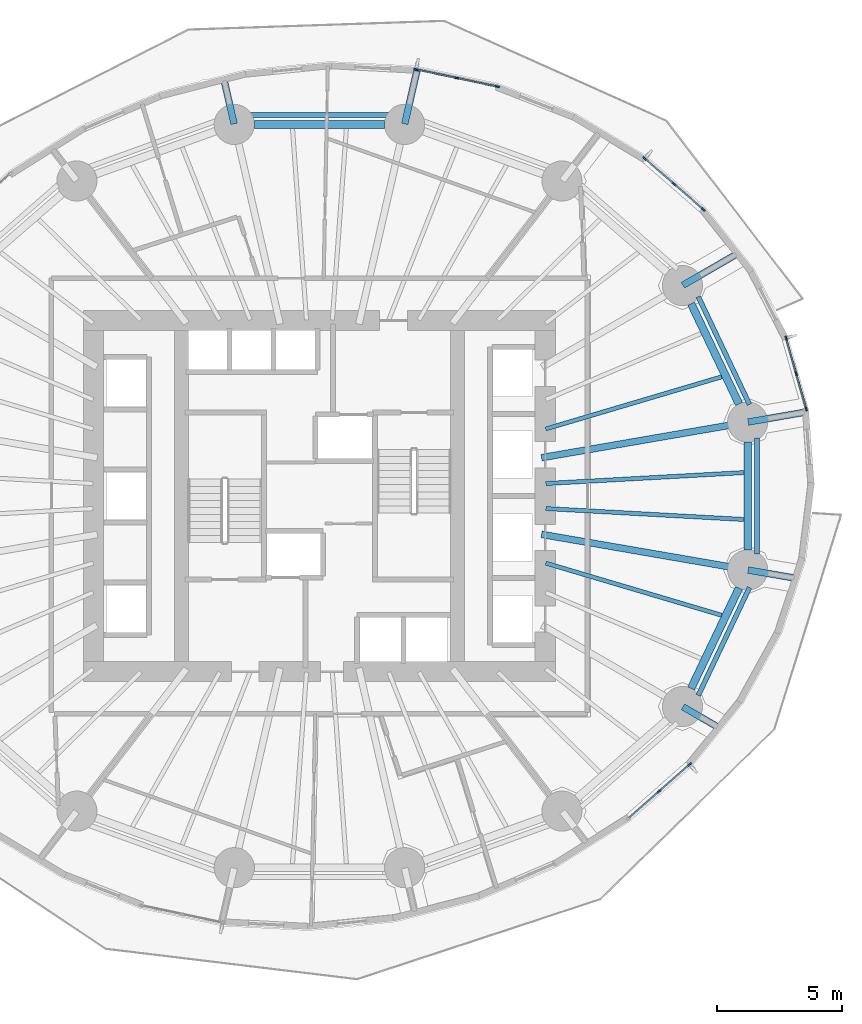
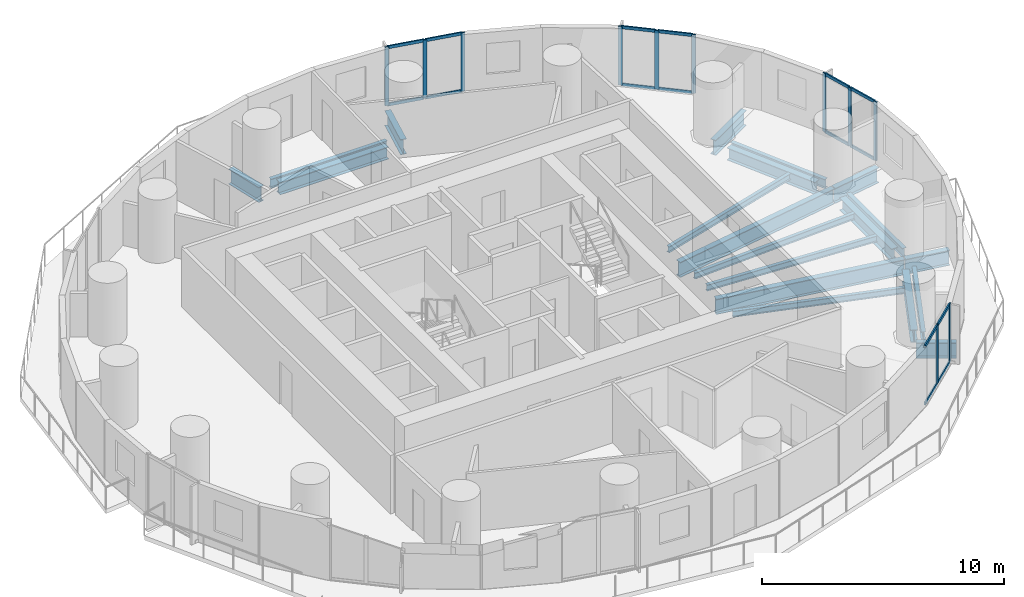
# One storey, part 5 of 13: 27 members, 20 beams, 4 elements without a shape of their own.
"""IFC4 building model written with IfcOpenShell, lengths in metres."""

from ifc_helpers import new_model, si_unit, direction, frame, origin, origin_2d, place, context, subcontext, project, spatial, rectangle, i_section, extrude, material, material_profile, profile_set, type_object, element, aggregate, save


model = new_model("IFC4")

# Units and contexts
model_context = context("Model", 3, precision=1e-05, world=origin(), true_north=direction((0.0, 1.0)))
body_context = subcontext(model_context, "Body", "Model", "MODEL_VIEW")
ifc_project = project(units=[si_unit("LENGTHUNIT", "METRE"), si_unit("AREAUNIT", "SQUARE_METRE"), si_unit("VOLUMEUNIT", "CUBIC_METRE"), si_unit("PLANEANGLEUNIT", "RADIAN"), si_unit("MASSUNIT", "GRAM", prefix="KILO")], contexts=[model_context])

# Site, building, storey
site_placement = place(None, origin())
site = spatial("IfcSite", under=ifc_project, at=site_placement, CompositionType="ELEMENT")
building_placement = place(site_placement, origin())
building = spatial("IfcBuilding", under=site, at=building_placement, Name="Veldorim Arch Residences", CompositionType="ELEMENT")
storey_placement = place(building_placement, frame((0.0, 0.0, 44.0)))
storey = spatial("IfcBuildingStorey", under=building, at=storey_placement, Name="L12", CompositionType="ELEMENT", Elevation=44.0)

# Beams
ifc_material_1 = material(Name="Steel S355", Category="steel")
ifc_material_profile_1 = material_profile(ifc_material_1, i_section(OverallWidth=0.30712890625, OverallDepth=0.6201171875, WebThickness=0.01416015625, FlangeThickness=0.023681640625, at=origin_2d()), Name="UB610x305x179")
ifc_profile_set_1 = profile_set([ifc_material_profile_1], Name="Steel S355")
beam_type_1 = type_object("IfcBeamType", Name="Structural Steel Beam UB610x305x179", PredefinedType="BEAM", material=ifc_profile_set_1)
beam_1_placement = place(storey_placement, frame((48.72119140625, 27.66796875, -0.550048828125), z_axis=(-0.430786696724, 0.902453778276, 0.0), x_axis=(-0.902453778276, -0.430786696724, 0.0)))
element("IfcBeam", 1, at=beam_1_placement, inside=storey, type_object=beam_type_1, Name="L12 perimeter ring tie beam 01", PredefinedType="BEAM", context=body_context, shape_type="SweptSolid", body=[
    extrude(i_section(OverallWidth=0.30712890625, OverallDepth=0.6201171875, WebThickness=0.01416015625, FlangeThickness=0.023681640625, at=origin_2d()), origin(), (0.0, 0.0, 1.0), 4.431396484375),
])
beam_2_placement = place(storey_placement, frame((34.594482421875, 38.809814453125, -0.550048828125), z_axis=(-1.0, 0.0, 0.0), x_axis=(0.0, -1.0, 0.0)))
element("IfcBeam", 2, at=beam_2_placement, inside=storey, type_object=beam_type_1, Name="L12 perimeter ring tie beam 04", PredefinedType="BEAM", context=body_context, shape_type="SweptSolid", body=[
    extrude(i_section(OverallWidth=0.30712890625, OverallDepth=0.6201171875, WebThickness=0.01416015625, FlangeThickness=0.023681640625, at=origin_2d()), origin(), (0.0, 0.0, 1.0), 5.18896484375),
])
beam_3_placement = place(storey_placement, frame((46.812255859375, 16.3330078125, -0.550048828125), z_axis=(0.430786696724, 0.902453778276, 0.0), x_axis=(-0.902453778276, 0.430786696724, 0.0)))
element("IfcBeam", 3, at=beam_3_placement, inside=storey, type_object=beam_type_1, Name="L12 perimeter ring tie beam 15", PredefinedType="BEAM", context=body_context, shape_type="SweptSolid", body=[
    extrude(i_section(OverallWidth=0.30712890625, OverallDepth=0.6201171875, WebThickness=0.01416015625, FlangeThickness=0.023681640625, at=origin_2d()), origin(), (0.0, 0.0, 1.0), 4.431396484375),
])
beam_4_placement = place(storey_placement, frame((49.065673828125, 21.85400390625, -0.550048828125), z_axis=(0.0, 1.0, 0.0), x_axis=(-1.0, 0.0, 0.0)))
element("IfcBeam", 4, at=beam_4_placement, inside=storey, type_object=beam_type_1, Name="L12 perimeter ring tie beam 16", PredefinedType="BEAM", context=body_context, shape_type="SweptSolid", body=[
    extrude(i_section(OverallWidth=0.30712890625, OverallDepth=0.6201171875, WebThickness=0.01416015625, FlangeThickness=0.023681640625, at=origin_2d()), origin(), (0.0, 0.0, 1.0), 4.2919921875),
])
ifc_material_2 = material(Name="Steel S355", Category="steel")
ifc_material_profile_2 = material_profile(ifc_material_2, i_section(OverallWidth=0.26806640625, OverallDepth=0.769775390625, WebThickness=0.015625, FlangeThickness=0.025390625, at=origin_2d()), Name="UB762x267x197")
ifc_profile_set_2 = profile_set([ifc_material_profile_2], Name="Steel S355")
beam_type_2 = type_object("IfcBeamType", Name="Structural Steel GIRDER UB762x267x197", PredefinedType="USERDEFINED", material=ifc_profile_set_2)
beam_5_placement = place(storey_placement, frame((40.852294921875, 25.528076171875, -0.625), z_axis=(0.985427548249, 0.170095699979, 0.0), x_axis=(-0.170095699979, 0.985427548249, 0.0)))
element("IfcBeam", 5, at=beam_5_placement, inside=storey, type_object=beam_type_2, Name="L12 radial floor girder 01", ObjectType="GIRDER", PredefinedType="USERDEFINED", context=body_context, shape_type="SweptSolid", body=[
    extrude(i_section(OverallWidth=0.26806640625, OverallDepth=0.769775390625, WebThickness=0.015625, FlangeThickness=0.025390625, at=origin_2d()), origin(), (0.0, 0.0, 1.0), 8.314697265625),
])
beam_6_placement = place(storey_placement, frame((49.08544921875, 26.94921875, -0.625), z_axis=(0.98542353719, 0.170118935902, 0.0), x_axis=(-0.170118935902, 0.98542353719, 0.0)))
element("IfcBeam", 6, at=beam_6_placement, inside=storey, type_object=beam_type_2, Name="L12 radial edge cantilever girder 01", ObjectType="GIRDER", PredefinedType="USERDEFINED", context=body_context, shape_type="SweptSolid", body=[
    extrude(i_section(OverallWidth=0.26806640625, OverallDepth=0.769775390625, WebThickness=0.015625, FlangeThickness=0.025390625, at=origin_2d()), origin(), (0.0, 0.0, 1.0), 2.35205078125),
])
beam_7_placement = place(storey_placement, frame((46.48486328125, 32.399169921875, -0.625), z_axis=(0.86507809522, 0.501637208718, 0.0), x_axis=(-0.501637208718, 0.86507809522, 0.0)))
element("IfcBeam", 7, at=beam_7_placement, inside=storey, type_object=beam_type_2, Name="L12 radial edge cantilever girder 02", ObjectType="GIRDER", PredefinedType="USERDEFINED", context=body_context, shape_type="SweptSolid", body=[
    extrude(i_section(OverallWidth=0.26806640625, OverallDepth=0.769775390625, WebThickness=0.015625, FlangeThickness=0.025390625, at=origin_2d()), origin(), (0.0, 0.0, 1.0), 2.52978515625),
])
beam_8_placement = place(storey_placement, frame((35.399169921875, 38.829345703125, -0.625), z_axis=(0.223367414268, 0.974734321876, 0.0), x_axis=(-0.974734321876, 0.223367414268, 0.0)))
element("IfcBeam", 8, at=beam_8_placement, inside=storey, type_object=beam_type_2, Name="L12 radial edge cantilever girder 04", ObjectType="GIRDER", PredefinedType="USERDEFINED", context=body_context, shape_type="SweptSolid", body=[
    extrude(i_section(OverallWidth=0.26806640625, OverallDepth=0.769775390625, WebThickness=0.015625, FlangeThickness=0.025390625, at=origin_2d()), origin(), (0.0, 0.0, 1.0), 2.211181640625),
])
beam_9_placement = place(storey_placement, frame((28.600830078125, 38.829345703125, -0.625), z_axis=(-0.223378778819, 0.974731717537, 0.0), x_axis=(-0.974731717537, -0.223378778819, 0.0)))
element("IfcBeam", 9, at=beam_9_placement, inside=storey, type_object=beam_type_2, Name="L12 radial edge cantilever girder 05", ObjectType="GIRDER", PredefinedType="USERDEFINED", context=body_context, shape_type="SweptSolid", body=[
    extrude(i_section(OverallWidth=0.26806640625, OverallDepth=0.769775390625, WebThickness=0.015625, FlangeThickness=0.025390625, at=origin_2d()), origin(), (0.0, 0.0, 1.0), 1.8427734375),
])
beam_10_placement = place(storey_placement, frame((46.48486328125, 15.600830078125, -0.625), z_axis=(0.865102284846, -0.501595491163, 0.0), x_axis=(0.501595491163, 0.865102284846, 0.0)))
element("IfcBeam", 10, at=beam_10_placement, inside=storey, type_object=beam_type_2, Name="L12 radial edge cantilever girder 15", ObjectType="GIRDER", PredefinedType="USERDEFINED", context=body_context, shape_type="SweptSolid", body=[
    extrude(i_section(OverallWidth=0.26806640625, OverallDepth=0.769775390625, WebThickness=0.015625, FlangeThickness=0.025390625, at=origin_2d()), origin(), (0.0, 0.0, 1.0), 1.6689453125),
])
beam_11_placement = place(storey_placement, frame((40.852294921875, 22.471923828125, -0.625), z_axis=(0.985427548249, -0.170095699979, 0.0), x_axis=(0.170095699979, 0.985427548249, 0.0)))
element("IfcBeam", 11, at=beam_11_placement, inside=storey, type_object=beam_type_2, Name="L12 radial floor girder 16", ObjectType="GIRDER", PredefinedType="USERDEFINED", context=body_context, shape_type="SweptSolid", body=[
    extrude(i_section(OverallWidth=0.26806640625, OverallDepth=0.769775390625, WebThickness=0.015625, FlangeThickness=0.025390625, at=origin_2d()), origin(), (0.0, 0.0, 1.0), 8.314697265625),
])
beam_12_placement = place(storey_placement, frame((49.08544921875, 21.05078125, -0.625), z_axis=(0.985423095697, -0.170121493252, 0.0), x_axis=(0.170121493252, 0.985423095697, 0.0)))
element("IfcBeam", 12, at=beam_12_placement, inside=storey, type_object=beam_type_2, Name="L12 radial edge cantilever girder 16", ObjectType="GIRDER", PredefinedType="USERDEFINED", context=body_context, shape_type="SweptSolid", body=[
    extrude(i_section(OverallWidth=0.26806640625, OverallDepth=0.769775390625, WebThickness=0.015625, FlangeThickness=0.025390625, at=origin_2d()), origin(), (0.0, 0.0, 1.0), 1.943115234375),
])
ifc_material_3 = material(Name="Steel S355", Category="steel")
ifc_material_profile_3 = material_profile(ifc_material_3, i_section(OverallWidth=0.165771484375, OverallDepth=0.306640625, WebThickness=0.006591796875, FlangeThickness=0.01171875, at=origin_2d()), Name="UB305x165x46")
ifc_profile_set_3 = profile_set([ifc_material_profile_3], Name="Steel S355")
beam_type_3 = type_object("IfcBeamType", Name="Structural Steel Joist UB305x165x46", PredefinedType="JOIST", material=ifc_profile_set_3)
for number, where, z_axis, x_axis, name in (
    (13, (41.019287109375, 26.67333984375, -0.393310546875), (0.958766778771, 0.284194060325, 0.0), (-0.284194060325, 0.958766778771, 0.0), "L12 secondary radial floor joist 01-1"),
    (14, (41.019287109375, 21.32666015625, -0.393310546875), (0.958766778771, -0.284194060325, 0.0), (0.284194060325, 0.958766778771, 0.0), "L12 secondary radial floor joist 15-2"),
):
    element("IfcBeam", number, at=place(storey_placement, frame(where, z_axis=z_axis, x_axis=x_axis)), inside=storey, type_object=beam_type_3, Name=name, PredefinedType="JOIST", context=body_context, shape_type="SweptSolid", body=[
        extrude(i_section(OverallWidth=0.165771484375, OverallDepth=0.306640625, WebThickness=0.006591796875, FlangeThickness=0.01171875, at=origin_2d()), origin(), (0.0, 0.0, 1.0), 7.3115234375),
    ])
for number, where, z_axis, x_axis, name in (
    (15, (41.02001953125, 23.501708984375, -0.393310546875), (0.998478371109, -0.055144740699, 0.0), (0.055144740699, 0.998478371109, 0.0), "L12 secondary radial floor joist 16-1"),
    (16, (41.02001953125, 24.498291015625, -0.393310546875), (0.998478371109, 0.055144740699, 0.0), (-0.055144740699, 0.998478371109, 0.0), "L12 secondary radial floor joist 16-2"),
):
    element("IfcBeam", number, at=place(storey_placement, frame(where, z_axis=z_axis, x_axis=x_axis)), inside=storey, type_object=beam_type_3, Name=name, PredefinedType="JOIST", context=body_context, shape_type="SweptSolid", body=[
        extrude(i_section(OverallWidth=0.165771484375, OverallDepth=0.306640625, WebThickness=0.006591796875, FlangeThickness=0.01171875, at=origin_2d()), origin(), (0.0, 0.0, 1.0), 7.898193359375),
    ])
ifc_material_4 = material(Name="Steel S355", Category="steel")
ifc_material_profile_4 = material_profile(ifc_material_4, i_section(OverallWidth=0.19140625, OverallDepth=0.4599609375, WebThickness=0.010009765625, FlangeThickness=0.01611328125, at=origin_2d()), Name="UB457x191x82")
ifc_profile_set_4 = profile_set([ifc_material_profile_4], Name="Steel S355")
beam_type_4 = type_object("IfcBeamType", Name="Structural Steel Spandrel UB457x191x82", PredefinedType="SPANDREL", material=ifc_profile_set_4)
beam_13_placement = place(storey_placement, frame((49.13818359375, 27.646484375, -0.489990234375), z_axis=(-0.42886940858, 0.903366498374, 0.0), x_axis=(-0.903366498374, -0.42886940858, 0.0)))
element("IfcBeam", 17, at=beam_13_placement, inside=storey, type_object=beam_type_4, Name="L12 perimeter chord spandrel beam 01", PredefinedType="SPANDREL", context=body_context, shape_type="SweptSolid", body=[
    extrude(i_section(OverallWidth=0.19140625, OverallDepth=0.4599609375, WebThickness=0.010009765625, FlangeThickness=0.01611328125, at=origin_2d()), origin(), (0.0, 0.0, 1.0), 4.7568359375),
])
beam_14_placement = place(storey_placement, frame((34.775390625, 39.180419921875, -0.489990234375), z_axis=(-1.0, 0.0, 0.0), x_axis=(0.0, -1.0, 0.0)))
element("IfcBeam", 18, at=beam_14_placement, inside=storey, type_object=beam_type_4, Name="L12 perimeter chord spandrel beam 04", PredefinedType="SPANDREL", context=body_context, shape_type="SweptSolid", body=[
    extrude(i_section(OverallWidth=0.19140625, OverallDepth=0.4599609375, WebThickness=0.010009765625, FlangeThickness=0.01611328125, at=origin_2d()), origin(), (0.0, 0.0, 1.0), 5.55078125),
])
beam_15_placement = place(storey_placement, frame((47.09814453125, 16.056396484375, -0.489990234375), z_axis=(0.42886940858, 0.903366498374, 0.0), x_axis=(-0.903366498374, 0.42886940858, 0.0)))
element("IfcBeam", 19, at=beam_15_placement, inside=storey, type_object=beam_type_4, Name="L12 perimeter chord spandrel beam 15", PredefinedType="SPANDREL", context=body_context, shape_type="SweptSolid", body=[
    extrude(i_section(OverallWidth=0.19140625, OverallDepth=0.4599609375, WebThickness=0.010009765625, FlangeThickness=0.01611328125, at=origin_2d()), origin(), (0.0, 0.0, 1.0), 4.7568359375),
])
beam_16_placement = place(storey_placement, frame((49.440185546875, 21.693603515625, -0.489990234375), z_axis=(0.0, 1.0, 0.0), x_axis=(-1.0, 0.0, 0.0)))
element("IfcBeam", 20, at=beam_16_placement, inside=storey, type_object=beam_type_4, Name="L12 perimeter chord spandrel beam 16", PredefinedType="SPANDREL", context=body_context, shape_type="SweptSolid", body=[
    extrude(i_section(OverallWidth=0.19140625, OverallDepth=0.4599609375, WebThickness=0.010009765625, FlangeThickness=0.01611328125, at=origin_2d()), origin(), (0.0, 0.0, 1.0), 4.61279296875),
])

# Curtain wall, members
ifc_material_5 = material(Name="Aluminium", Category="aluminium")
curtain_wall_type = type_object("IfcCurtainWallType", Name="Zone 1 Acoustic Low-E Unitised Curtain Wall", PredefinedType="NOTDEFINED", material=ifc_material_5)
curtain_wall_1_placement = place(storey_placement, origin())
curtain_wall_1 = element("IfcCurtainWall", 21, at=curtain_wall_1_placement, inside=storey, type_object=curtain_wall_type, Name="L12 unitised curtain wall bay 01", PredefinedType="NOTDEFINED")
ifc_material_6 = material(Name="Aluminium", Category="aluminium")
ifc_material_profile_5 = material_profile(ifc_material_6, rectangle(XDim=0.06494140625, YDim=0.175048828125, at=origin_2d()), Name="ALU_MUL_65x175")
ifc_profile_set_5 = profile_set([ifc_material_profile_5], Name="Aluminium")
member_type_1 = type_object("IfcMemberType", Name="Zone 1 Acoustic Low-E Unitised Curtain Wall Mullion 65x175", PredefinedType="MULLION", material=ifc_profile_set_5)
member_1_placement = place(storey_placement, frame((50.59765625, 30.297607421875, 0.0), z_axis=(0.0, 0.0, 1.0), x_axis=(0.962071370887, 0.27279786898, 0.0)))
member_1 = element("IfcMember", 22, at=member_1_placement, type_object=member_type_1, Name="CW-Z1 mullion 1", PredefinedType="MULLION", context=body_context, shape_type="SweptSolid", body=[
    extrude(rectangle(XDim=0.06494140625, YDim=0.175048828125, at=origin_2d()), origin(), (0.0, 0.0, 1.0), 2.9599609375),
])
member_2_placement = place(storey_placement, frame((50.998291015625, 28.885009765625, 0.0), z_axis=(0.0, 0.0, 1.0), x_axis=(0.962071370887, 0.27279786898, 0.0)))
member_2 = element("IfcMember", 23, at=member_2_placement, type_object=member_type_1, Name="CW-Z1 mullion 2", PredefinedType="MULLION", context=body_context, shape_type="SweptSolid", body=[
    extrude(rectangle(XDim=0.06494140625, YDim=0.175048828125, at=origin_2d()), origin(), (0.0, 0.0, 1.0), 2.9599609375),
])
member_3_placement = place(storey_placement, frame((51.39892578125, 27.47216796875, 0.0), z_axis=(0.0, 0.0, 1.0), x_axis=(0.962071370887, 0.27279786898, 0.0)))
member_3 = element("IfcMember", 24, at=member_3_placement, type_object=member_type_1, Name="CW-Z1 mullion 3", PredefinedType="MULLION", context=body_context, shape_type="SweptSolid", body=[
    extrude(rectangle(XDim=0.06494140625, YDim=0.175048828125, at=origin_2d()), origin(), (0.0, 0.0, 1.0), 2.9599609375),
])

curtain_wall_2_placement = place(storey_placement, origin())
curtain_wall_2 = element("IfcCurtainWall", 25, at=curtain_wall_2_placement, inside=storey, type_object=curtain_wall_type, Name="L12 unitised curtain wall bay 04", PredefinedType="NOTDEFINED")
member_4_placement = place(storey_placement, frame((44.9638671875, 37.45068359375, 0.0), z_axis=(0.0, 0.0, 1.0), x_axis=(0.656718522267, 0.754135785195, 0.0)))
member_4 = element("IfcMember", 26, at=member_4_placement, type_object=member_type_1, Name="CW-Z1 mullion 1", PredefinedType="MULLION", context=body_context, shape_type="SweptSolid", body=[
    extrude(rectangle(XDim=0.06494140625, YDim=0.175048828125, at=origin_2d()), origin(), (0.0, 0.0, 1.0), 2.9599609375),
])
member_5_placement = place(storey_placement, frame((46.12890625, 36.436279296875, 0.0), z_axis=(0.0, 0.0, 1.0), x_axis=(0.656718522267, 0.754135785195, 0.0)))
member_5 = element("IfcMember", 27, at=member_5_placement, type_object=member_type_1, Name="CW-Z1 mullion 2", PredefinedType="MULLION", context=body_context, shape_type="SweptSolid", body=[
    extrude(rectangle(XDim=0.06494140625, YDim=0.175048828125, at=origin_2d()), origin(), (0.0, 0.0, 1.0), 2.9599609375),
])
member_6_placement = place(storey_placement, frame((47.293701171875, 35.421875, 0.0), z_axis=(0.0, 0.0, 1.0), x_axis=(0.656718522267, 0.754135785195, 0.0)))
member_6 = element("IfcMember", 28, at=member_6_placement, type_object=member_type_1, Name="CW-Z1 mullion 3", PredefinedType="MULLION", context=body_context, shape_type="SweptSolid", body=[
    extrude(rectangle(XDim=0.06494140625, YDim=0.175048828125, at=origin_2d()), origin(), (0.0, 0.0, 1.0), 2.9599609375),
])

curtain_wall_3_placement = place(storey_placement, origin())
curtain_wall_3 = element("IfcCurtainWall", 29, at=curtain_wall_3_placement, inside=storey, type_object=curtain_wall_type, Name="L12 unitised curtain wall bay 07", PredefinedType="NOTDEFINED")
member_7_placement = place(storey_placement, frame((35.851806640625, 41.003662109375, 0.0), z_axis=(0.0, 0.0, 1.0), x_axis=(0.207442343439, 0.978247245919, 0.0)))
member_7 = element("IfcMember", 30, at=member_7_placement, type_object=member_type_1, Name="CW-Z1 mullion 1", PredefinedType="MULLION", context=body_context, shape_type="SweptSolid", body=[
    extrude(rectangle(XDim=0.06494140625, YDim=0.175048828125, at=origin_2d()), origin(), (0.0, 0.0, 1.0), 2.9599609375),
])
member_8_placement = place(storey_placement, frame((37.470703125, 40.660400390625, 0.0), z_axis=(0.0, 0.0, 1.0), x_axis=(0.207442343439, 0.978247245919, 0.0)))
member_8 = element("IfcMember", 31, at=member_8_placement, type_object=member_type_1, Name="CW-Z1 mullion 2", PredefinedType="MULLION", context=body_context, shape_type="SweptSolid", body=[
    extrude(rectangle(XDim=0.06494140625, YDim=0.175048828125, at=origin_2d()), origin(), (0.0, 0.0, 1.0), 2.9599609375),
])
member_9_placement = place(storey_placement, frame((39.089599609375, 40.317138671875, 0.0), z_axis=(0.0, 0.0, 1.0), x_axis=(0.207442343439, 0.978247245919, 0.0)))
member_9 = element("IfcMember", 32, at=member_9_placement, type_object=member_type_1, Name="CW-Z1 mullion 3", PredefinedType="MULLION", context=body_context, shape_type="SweptSolid", body=[
    extrude(rectangle(XDim=0.06494140625, YDim=0.175048828125, at=origin_2d()), origin(), (0.0, 0.0, 1.0), 2.9599609375),
])

curtain_wall_4_placement = place(storey_placement, origin())
curtain_wall_4 = element("IfcCurtainWall", 33, at=curtain_wall_4_placement, inside=storey, type_object=curtain_wall_type, Name="L12 unitised curtain wall bay 31", PredefinedType="NOTDEFINED")
member_10_placement = place(storey_placement, frame((46.7529296875, 13.301025390625, 0.0), z_axis=(0.0, 0.0, 1.0), x_axis=(0.661206750082, -0.750203728094, 0.0)))
member_10 = element("IfcMember", 34, at=member_10_placement, type_object=member_type_1, Name="CW-Z1 mullion 1", PredefinedType="MULLION", context=body_context, shape_type="SweptSolid", body=[
    extrude(rectangle(XDim=0.06494140625, YDim=0.175048828125, at=origin_2d()), origin(), (0.0, 0.0, 1.0), 2.9599609375),
])
member_11_placement = place(storey_placement, frame((45.5361328125, 12.228515625, 0.0), z_axis=(0.0, 0.0, 1.0), x_axis=(0.661206750082, -0.750203728094, 0.0)))
member_11 = element("IfcMember", 35, at=member_11_placement, type_object=member_type_1, Name="CW-Z1 mullion 2", PredefinedType="MULLION", context=body_context, shape_type="SweptSolid", body=[
    extrude(rectangle(XDim=0.06494140625, YDim=0.175048828125, at=origin_2d()), origin(), (0.0, 0.0, 1.0), 2.9599609375),
])

# Member
ifc_material_7 = material(Name="Aluminium", Category="aluminium")
ifc_material_profile_6 = material_profile(ifc_material_7, rectangle(XDim=0.06494140625, YDim=0.14990234375, at=origin_2d()), Name="ALU_TRN_65x150")
ifc_profile_set_6 = profile_set([ifc_material_profile_6], Name="Aluminium")
member_type_2 = type_object("IfcMemberType", Name="Zone 1 Acoustic Low-E Unitised Curtain Wall Transom 65x150", PredefinedType="USERDEFINED", material=ifc_profile_set_6)
member_12_placement = place(storey_placement, frame((50.606689453125, 30.266357421875, 0.032470703125), z_axis=(0.272790453274, -0.962073473599, 0.0), x_axis=(0.962073473599, 0.272790453274, 0.0)))
member_12 = element("IfcMember", 36, at=member_12_placement, type_object=member_type_2, Name="CW-Z1 transom 1.1", ObjectType="TRANSOM", PredefinedType="USERDEFINED", context=body_context, shape_type="SweptSolid", body=[
    extrude(rectangle(XDim=0.06494140625, YDim=0.14990234375, at=origin_2d()), origin(), (0.0, 0.0, 1.0), 1.4033203125),
])

member_13_placement = place(storey_placement, frame((50.606689453125, 30.266357421875, 2.927490234375), z_axis=(0.272790453274, -0.962073473599, 0.0), x_axis=(0.962073473599, 0.272790453274, 0.0)))
member_13 = element("IfcMember", 37, at=member_13_placement, type_object=member_type_2, Name="CW-Z1 transom 1.2", ObjectType="TRANSOM", PredefinedType="USERDEFINED", context=body_context, shape_type="SweptSolid", body=[
    extrude(rectangle(XDim=0.06494140625, YDim=0.14990234375, at=origin_2d()), origin(), (0.0, 0.0, 1.0), 1.4033203125),
])

member_14_placement = place(storey_placement, frame((51.00732421875, 28.853515625, 0.032470703125), z_axis=(0.272790453274, -0.962073473599, 0.0), x_axis=(0.962073473599, 0.272790453274, 0.0)))
member_14 = element("IfcMember", 38, at=member_14_placement, type_object=member_type_2, Name="CW-Z1 transom 2.1", ObjectType="TRANSOM", PredefinedType="USERDEFINED", context=body_context, shape_type="SweptSolid", body=[
    extrude(rectangle(XDim=0.06494140625, YDim=0.14990234375, at=origin_2d()), origin(), (0.0, 0.0, 1.0), 1.4033203125),
])

member_15_placement = place(storey_placement, frame((51.00732421875, 28.853515625, 2.927490234375), z_axis=(0.272790453274, -0.962073473599, 0.0), x_axis=(0.962073473599, 0.272790453274, 0.0)))
member_15 = element("IfcMember", 39, at=member_15_placement, type_object=member_type_2, Name="CW-Z1 transom 2.2", ObjectType="TRANSOM", PredefinedType="USERDEFINED", context=body_context, shape_type="SweptSolid", body=[
    extrude(rectangle(XDim=0.06494140625, YDim=0.14990234375, at=origin_2d()), origin(), (0.0, 0.0, 1.0), 1.4033203125),
])

aggregate(curtain_wall_1, [member_1, member_2, member_3, member_12, member_13, member_14, member_15])

member_16_placement = place(storey_placement, frame((44.988525390625, 37.429443359375, 0.032470703125), z_axis=(0.754107958252, -0.656750475677, 0.0), x_axis=(0.656750475677, 0.754107958252, 0.0)))
member_16 = element("IfcMember", 40, at=member_16_placement, type_object=member_type_2, Name="CW-Z1 transom 1.1", ObjectType="TRANSOM", PredefinedType="USERDEFINED", context=body_context, shape_type="SweptSolid", body=[
    extrude(rectangle(XDim=0.06494140625, YDim=0.14990234375, at=origin_2d()), origin(), (0.0, 0.0, 1.0), 1.4794921875),
])

member_17_placement = place(storey_placement, frame((44.988525390625, 37.429443359375, 2.927490234375), z_axis=(0.754107958252, -0.656750475677, 0.0), x_axis=(0.656750475677, 0.754107958252, 0.0)))
member_17 = element("IfcMember", 41, at=member_17_placement, type_object=member_type_2, Name="CW-Z1 transom 1.2", ObjectType="TRANSOM", PredefinedType="USERDEFINED", context=body_context, shape_type="SweptSolid", body=[
    extrude(rectangle(XDim=0.06494140625, YDim=0.14990234375, at=origin_2d()), origin(), (0.0, 0.0, 1.0), 1.4794921875),
])

member_18_placement = place(storey_placement, frame((46.1533203125, 36.4150390625, 0.032470703125), z_axis=(0.75409740977, -0.656762587682, 0.0), x_axis=(0.656762587682, 0.75409740977, 0.0)))
member_18 = element("IfcMember", 42, at=member_18_placement, type_object=member_type_2, Name="CW-Z1 transom 2.1", ObjectType="TRANSOM", PredefinedType="USERDEFINED", context=body_context, shape_type="SweptSolid", body=[
    extrude(rectangle(XDim=0.06494140625, YDim=0.14990234375, at=origin_2d()), origin(), (0.0, 0.0, 1.0), 1.47998046875),
])

member_19_placement = place(storey_placement, frame((46.1533203125, 36.4150390625, 2.927490234375), z_axis=(0.75409740977, -0.656762587682, 0.0), x_axis=(0.656762587682, 0.75409740977, 0.0)))
member_19 = element("IfcMember", 43, at=member_19_placement, type_object=member_type_2, Name="CW-Z1 transom 2.2", ObjectType="TRANSOM", PredefinedType="USERDEFINED", context=body_context, shape_type="SweptSolid", body=[
    extrude(rectangle(XDim=0.06494140625, YDim=0.14990234375, at=origin_2d()), origin(), (0.0, 0.0, 1.0), 1.47998046875),
])

aggregate(curtain_wall_2, [member_4, member_5, member_6, member_16, member_17, member_18, member_19])

member_20_placement = place(storey_placement, frame((35.883544921875, 40.9970703125, 0.032470703125), z_axis=(0.978247345961, -0.207441871667, 0.0), x_axis=(0.207441871667, 0.978247345961, 0.0)))
member_20 = element("IfcMember", 44, at=member_20_placement, type_object=member_type_2, Name="CW-Z1 transom 1.1", ObjectType="TRANSOM", PredefinedType="USERDEFINED", context=body_context, shape_type="SweptSolid", body=[
    extrude(rectangle(XDim=0.06494140625, YDim=0.14990234375, at=origin_2d()), origin(), (0.0, 0.0, 1.0), 1.590087890625),
])

member_21_placement = place(storey_placement, frame((35.883544921875, 40.9970703125, 2.927490234375), z_axis=(0.978247345961, -0.207441871667, 0.0), x_axis=(0.207441871667, 0.978247345961, 0.0)))
member_21 = element("IfcMember", 45, at=member_21_placement, type_object=member_type_2, Name="CW-Z1 transom 1.2", ObjectType="TRANSOM", PredefinedType="USERDEFINED", context=body_context, shape_type="SweptSolid", body=[
    extrude(rectangle(XDim=0.06494140625, YDim=0.14990234375, at=origin_2d()), origin(), (0.0, 0.0, 1.0), 1.590087890625),
])

member_22_placement = place(storey_placement, frame((37.50244140625, 40.65380859375, 0.032470703125), z_axis=(0.978247345961, -0.207441871667, 0.0), x_axis=(0.207441871667, 0.978247345961, 0.0)))
member_22 = element("IfcMember", 46, at=member_22_placement, type_object=member_type_2, Name="CW-Z1 transom 2.1", ObjectType="TRANSOM", PredefinedType="USERDEFINED", context=body_context, shape_type="SweptSolid", body=[
    extrude(rectangle(XDim=0.06494140625, YDim=0.14990234375, at=origin_2d()), origin(), (0.0, 0.0, 1.0), 1.590087890625),
])

member_23_placement = place(storey_placement, frame((37.50244140625, 40.65380859375, 2.927490234375), z_axis=(0.978247345961, -0.207441871667, 0.0), x_axis=(0.207441871667, 0.978247345961, 0.0)))
member_23 = element("IfcMember", 47, at=member_23_placement, type_object=member_type_2, Name="CW-Z1 transom 2.2", ObjectType="TRANSOM", PredefinedType="USERDEFINED", context=body_context, shape_type="SweptSolid", body=[
    extrude(rectangle(XDim=0.06494140625, YDim=0.14990234375, at=origin_2d()), origin(), (0.0, 0.0, 1.0), 1.590087890625),
])

aggregate(curtain_wall_3, [member_7, member_8, member_9, member_20, member_21, member_22, member_23])

member_24_placement = place(storey_placement, frame((46.728515625, 13.279541015625, 0.032470703125), z_axis=(-0.750162665742, -0.66125333642, 0.0), x_axis=(0.66125333642, -0.750162665742, 0.0)))
member_24 = element("IfcMember", 48, at=member_24_placement, type_object=member_type_2, Name="CW-Z1 transom 1.1", ObjectType="TRANSOM", PredefinedType="USERDEFINED", context=body_context, shape_type="SweptSolid", body=[
    extrude(rectangle(XDim=0.06494140625, YDim=0.14990234375, at=origin_2d()), origin(), (0.0, 0.0, 1.0), 1.556884765625),
])

member_25_placement = place(storey_placement, frame((46.728515625, 13.279541015625, 2.927490234375), z_axis=(-0.750162665742, -0.66125333642, 0.0), x_axis=(0.66125333642, -0.750162665742, 0.0)))
member_25 = element("IfcMember", 49, at=member_25_placement, type_object=member_type_2, Name="CW-Z1 transom 1.2", ObjectType="TRANSOM", PredefinedType="USERDEFINED", context=body_context, shape_type="SweptSolid", body=[
    extrude(rectangle(XDim=0.06494140625, YDim=0.14990234375, at=origin_2d()), origin(), (0.0, 0.0, 1.0), 1.556884765625),
])

member_26_placement = place(storey_placement, frame((45.51171875, 12.20703125, 0.032470703125), z_axis=(-0.750231218258, -0.661175558494, 0.0), x_axis=(0.661175558494, -0.750231218258, 0.0)))
member_26 = element("IfcMember", 50, at=member_26_placement, type_object=member_type_2, Name="CW-Z1 transom 2.1", ObjectType="TRANSOM", PredefinedType="USERDEFINED", context=body_context, shape_type="SweptSolid", body=[
    extrude(rectangle(XDim=0.06494140625, YDim=0.14990234375, at=origin_2d()), origin(), (0.0, 0.0, 1.0), 1.55712890625),
])

member_27_placement = place(storey_placement, frame((45.51171875, 12.20703125, 2.927490234375), z_axis=(-0.750231218258, -0.661175558494, 0.0), x_axis=(0.661175558494, -0.750231218258, 0.0)))
member_27 = element("IfcMember", 51, at=member_27_placement, type_object=member_type_2, Name="CW-Z1 transom 2.2", ObjectType="TRANSOM", PredefinedType="USERDEFINED", context=body_context, shape_type="SweptSolid", body=[
    extrude(rectangle(XDim=0.06494140625, YDim=0.14990234375, at=origin_2d()), origin(), (0.0, 0.0, 1.0), 1.55712890625),
])

aggregate(curtain_wall_4, [member_10, member_11, member_24, member_25, member_26, member_27])

save(model, "model.ifc")
